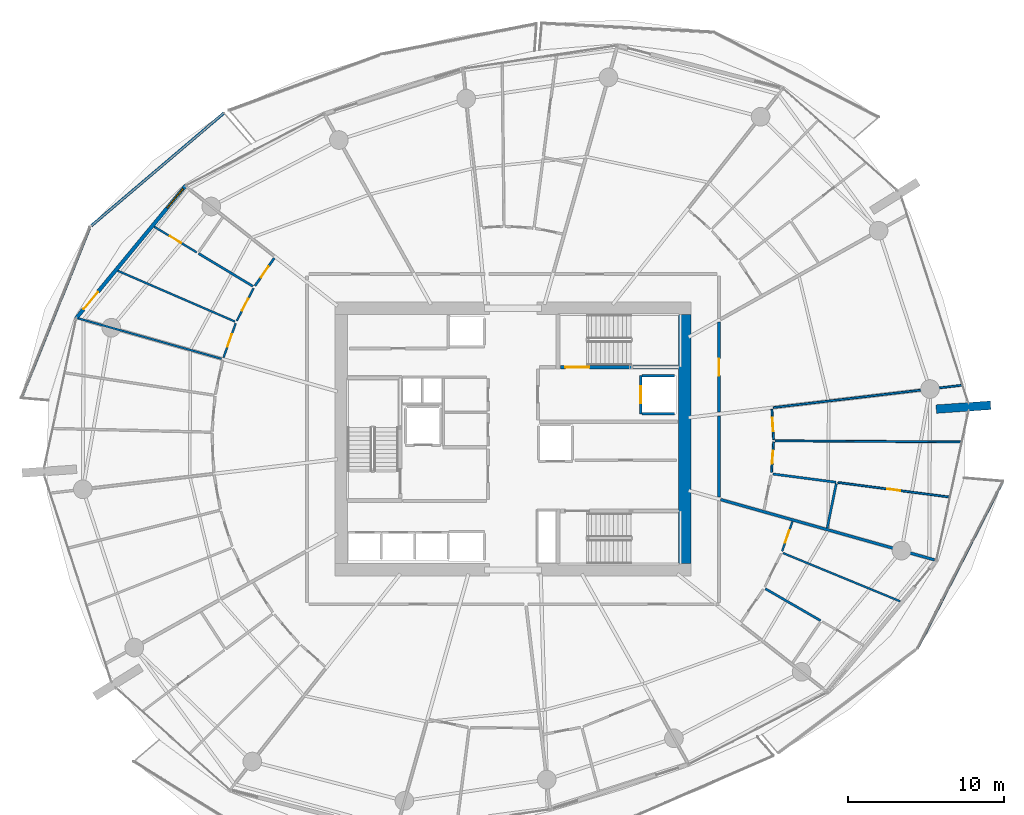
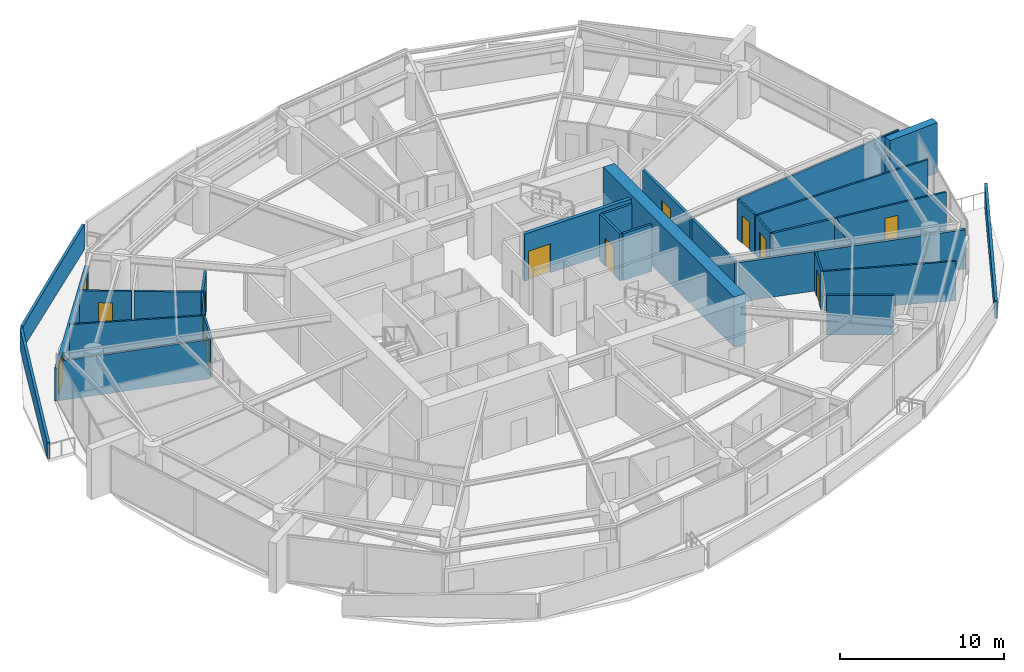
# One storey, part 14 of 23: 30 walls, 12 doors, 1 window, 13 openings.
"""IFC4 building model written with IfcOpenShell, lengths in metres."""

from ifc_helpers import new_model, si_unit, direction, frame, frame_2d, origin, place, context, subcontext, project, spatial, polyline, rectangle, outline, extrude, material, layer, layer_set, type_object, element, fill, save


model = new_model("IFC4")

# Units and contexts
model_context = context("Model", 3, precision=1e-05, world=origin(), true_north=direction((0.0, 1.0)))
body_context = subcontext(model_context, "Body", "Model", "MODEL_VIEW")
ifc_project = project(units=[si_unit("LENGTHUNIT", "METRE"), si_unit("AREAUNIT", "SQUARE_METRE"), si_unit("VOLUMEUNIT", "CUBIC_METRE"), si_unit("PLANEANGLEUNIT", "RADIAN"), si_unit("MASSUNIT", "GRAM", prefix="KILO")], contexts=[model_context])

# Site, building, storey
site_placement = place(None, origin())
site = spatial("IfcSite", under=ifc_project, at=site_placement, CompositionType="ELEMENT")
building_placement = place(site_placement, origin())
building = spatial("IfcBuilding", under=site, at=building_placement, Name="Kazma Halo Residences", CompositionType="ELEMENT")
storey_placement = place(building_placement, frame((0.0, 0.0, 82.64990234375)))
storey = spatial("IfcBuildingStorey", under=building, at=storey_placement, Name="L20", CompositionType="ELEMENT", Elevation=82.64990234375)

# Walls
ifc_material_1 = material(Name="White Concrete C50/60 Balustrade", Category="concrete")
ifc_layer_1 = layer(ifc_material_1, 0.179931640625)
ifc_layer_set_1 = layer_set([ifc_layer_1], Name="White Concrete C50/60 Balustrade")
wall_type_1 = type_object("IfcWallType", Name="WL-BAL-WAVE-180", PredefinedType="PARAPET", material=ifc_layer_set_1)
wall_1_placement = place(storey_placement, frame((29.874267578125, 62.9619140625, 0.0), z_axis=(0.0, 0.0, 1.0), x_axis=(-0.761849488871, -0.647754086291, 0.0)))
element("IfcWall", 1, at=wall_1_placement, inside=storey, type_object=wall_type_1, Name="L20 white wave balustrade wall NW.1", PredefinedType="PARAPET", context=body_context, shape_type="SweptSolid", body=[
    extrude(outline(polyline([(0.0, 0.0), (11.19970703125, 0.0), (11.19970703125, 1.632080078125), (5.599853515625, 1.798095703125), (0.0, 1.860107421875), (0.0, 0.0)])), frame((0.0, 0.08984375, 0.0), z_axis=(0.0, -1.0, 0.0), x_axis=(1.0, 0.0, 0.0)), (0.0, 0.0, 1.0), 0.179931640625),
])
wall_2_placement = place(storey_placement, frame((21.205810546875, 55.518310546875, 0.0), z_axis=(0.0, 0.0, 1.0), x_axis=(-0.372543477275, -0.928014739937, 0.0)))
element("IfcWall", 2, at=wall_2_placement, inside=storey, type_object=wall_type_1, Name="L20 white wave balustrade wall NW.2", PredefinedType="PARAPET", context=body_context, shape_type="SweptSolid", body=[
    extrude(outline(polyline([(0.0, 0.0), (11.718017578125, 0.0), (11.7177734375, 1.233154296875), (5.85888671875, 1.418212890625), (0.0, 1.632080078125), (0.0, 0.0)])), frame((0.0, 0.08984375, 0.0), z_axis=(0.0, -1.0, 0.0), x_axis=(1.0, 0.0, 0.0)), (0.0, 0.0, 1.0), 0.179931640625),
])
wall_3_placement = place(storey_placement, frame((74.44970703125, 28.657958984375, 0.0), z_axis=(0.0, 0.0, 1.0), x_axis=(0.454614998415, 0.890688050451, 0.0)))
element("IfcWall", 3, at=wall_3_placement, inside=storey, type_object=wall_type_1, Name="L20 white wave balustrade wall SE.2", PredefinedType="PARAPET", context=body_context, shape_type="SweptSolid", body=[
    extrude(outline(polyline([(0.0, 0.0), (11.9423828125, 0.0), (11.9423828125, 1.7470703125), (5.97119140625, 1.56201171875), (0.0, 1.34814453125), (0.0, 0.0)])), frame((0.0, 0.08984375, 0.0), z_axis=(0.0, -1.0, 0.0), x_axis=(1.0, 0.0, 0.0)), (0.0, 0.0, 1.0), 0.179931640625),
])
ifc_material_2 = material(Name="Pale Concrete C60/75", Category="concrete")
ifc_layer_2 = layer(ifc_material_2, 0.550048828125)
ifc_layer_set_2 = layer_set([ifc_layer_2], Name="Pale Concrete C60/75")
wall_type_2 = type_object("IfcWallType", Name="WL-BLADE-550", PredefinedType="SOLIDWALL", material=ifc_layer_set_2)
wall_4_placement = place(storey_placement, frame((75.606201171875, 43.930419921875, 0.0), z_axis=(0.0, 0.0, 1.0), x_axis=(0.997564163539, 0.069754853754, 0.0)))
element("IfcWall", 4, at=wall_4_placement, inside=storey, type_object=wall_type_2, Name="L20 pale concrete structural blade fin wall BW-04", PredefinedType="SOLIDWALL", context=body_context, shape_type="SweptSolid", body=[
    extrude(rectangle(XDim=3.5, YDim=0.550048828125, at=frame_2d((1.75, 0.0))), origin(), (0.0, 0.0, 1.0), 3.75),
])
ifc_material_3 = material(Name="Concrete C80/95", Category="concrete")
ifc_layer_3 = layer(ifc_material_3, 0.800048828125)
ifc_layer_set_3 = layer_set([ifc_layer_3], Name="Concrete C80/95")
wall_type_3 = type_object("IfcWallType", Name="WL-CORE-800", PredefinedType="SHEAR", material=ifc_layer_set_3)
wall_5_placement = place(storey_placement, frame((59.449951171875, 34.0, 0.0), z_axis=(0.0, 0.0, 1.0), x_axis=(0.0, 1.0, 0.0)))
element("IfcWall", 5, at=wall_5_placement, inside=storey, type_object=wall_type_3, Name="L20 central core shear wall E", PredefinedType="SHEAR", context=body_context, shape_type="SweptSolid", body=[
    extrude(rectangle(XDim=16.0, YDim=0.800048828125, at=frame_2d((8.0, 0.0))), origin(), (0.0, 0.0, 1.0), 3.75),
])
ifc_material_4 = material(Name="Acoustic Twin-Stud Gypsum")
ifc_layer_4 = layer(ifc_material_4, 0.179931640625)
ifc_layer_set_4 = layer_set([ifc_layer_4], Name="Acoustic Twin-Stud Gypsum")
wall_type_4 = type_object("IfcWallType", Name="WL-DEM-180", PredefinedType="PARTITIONING", material=ifc_layer_set_4)
wall_6_placement = place(storey_placement, frame((61.755859375, 38.120361328125, 0.0), z_axis=(0.0, 0.0, 1.0), x_axis=(0.962455861176, -0.271438234756, 0.0)))
element("IfcWall", 6, at=wall_6_placement, inside=storey, type_object=wall_type_4, Name="L20 apartment demising radial wall 14", PredefinedType="PARTITIONING", context=body_context, shape_type="SweptSolid", body=[
    extrude(rectangle(XDim=14.278564453125, YDim=0.179931640625, at=frame_2d((7.13916015625, 0.0))), origin(), (0.0, 0.0, 1.0), 2.940185546875),
])

# Wall, opening, door
wall_7_placement = place(storey_placement, frame((61.64990234375, 43.735595703125, 0.0), z_axis=(0.0, 0.0, 1.0), x_axis=(0.0, 1.0, 0.0)))
wall_7 = element("IfcWall", 7, at=wall_7_placement, inside=storey, type_object=wall_type_4, Name="L20 Apartment 4 entrance corridor wall", PredefinedType="PARTITIONING", context=body_context, shape_type="SweptSolid", body=[
    extrude(rectangle(XDim=5.788818359375, YDim=0.179931640625, at=frame_2d((2.89453125, 0.0))), origin(), (0.0, 0.0, 1.0), 2.940185546875),
])
opening_1_placement = place(wall_7_placement, frame((2.344482421875, 0.0, 0.0)))
opening_1 = element("IfcOpeningElement", 8, at=opening_1_placement, cuts=wall_7, Name="Opening DA-1100", PredefinedType="OPENING", context=body_context, shape_type="SweptSolid", body=[
    extrude(rectangle(XDim=1.10009765625, YDim=2.10009765625, at=frame_2d((0.550048828125, 1.050048828125))), frame((0.0, 0.099853515625, 0.0), z_axis=(0.0, -1.0, 0.0), x_axis=(1.0, 0.0, 0.0)), (0.0, 0.0, 1.0), 0.199951171875),
])
ifc_material_5 = material(Name="Acoustic Walnut Fire Leaf")
door_type_1 = type_object("IfcDoorType", Name="DR-FD60-1100", OperationType="NOTDEFINED", PredefinedType="DOOR", material=ifc_material_5)
door_1_placement = place(opening_1_placement, origin())
door_1 = element("IfcDoor", 9, at=door_1_placement, inside=storey, type_object=door_type_1, Name="L20 Apartment 4 entrance fire door", OperationType="SINGLE_SWING_LEFT", OverallHeight=2.10009765625, OverallWidth=1.10009765625, PredefinedType="DOOR", context=body_context, shape_type="SweptSolid", body=[
    extrude(rectangle(XDim=1.10009765625, YDim=2.10009765625, at=frame_2d((0.550048828125, 1.050048828125))), frame((0.0, 0.02490234375, 0.0), z_axis=(0.0, -1.0, 0.0), x_axis=(1.0, 0.0, 0.0)), (0.0, 0.0, 1.0), 0.050048828125),
])
fill(opening_1, door_1)

# Wall
wall_8_placement = place(storey_placement, frame((61.64990234375, 38.270263671875, 0.0), z_axis=(0.0, 0.0, 1.0), x_axis=(0.0, 1.0, 0.0)))
element("IfcWall", 10, at=wall_8_placement, inside=storey, type_object=wall_type_4, Name="L20 Apartment 4 inner wall 14", PredefinedType="PARTITIONING", context=body_context, shape_type="SweptSolid", body=[
    extrude(rectangle(XDim=5.225341796875, YDim=0.179931640625, at=frame_2d((2.61279296875, 0.0))), origin(), (0.0, 0.0, 1.0), 2.940185546875),
])

# Wall, openings, door, window
ifc_material_6 = material(Name="Insulated Pale-Metal Composite Wall")
ifc_layer_5 = layer(ifc_material_6, 0.239990234375)
ifc_layer_set_5 = layer_set([ifc_layer_5], Name="Insulated Pale-Metal Composite Wall")
wall_type_5 = type_object("IfcWallType", Name="WL-EXT-HOST-240", PredefinedType="SOLIDWALL", material=ifc_layer_set_5)
wall_9_placement = place(storey_placement, frame((27.406982421875, 58.2978515625, 0.0), z_axis=(0.0, 0.0, 1.0), x_axis=(-0.636704975, -0.771107498868, 0.0)))
wall_9 = element("IfcWall", 11, at=wall_9_placement, inside=storey, type_object=wall_type_5, Name="L20 exterior terrace-access wall B06", PredefinedType="SOLIDWALL", context=body_context, shape_type="SweptSolid", body=[
    extrude(rectangle(XDim=11.084228515625, YDim=0.239990234375, at=frame_2d((5.5419921875, 0.0))), origin(), (0.0, 0.0, 1.0), 2.4501953125),
])
opening_2_placement = place(wall_9_placement, frame((8.8642578125, 0.0, 0.0)))
opening_2 = element("IfcOpeningElement", 12, at=opening_2_placement, cuts=wall_9, Name="Opening DTR-1600", PredefinedType="OPENING", context=body_context, shape_type="SweptSolid", body=[
    extrude(rectangle(XDim=1.449951171875, YDim=2.14990234375, at=frame_2d((0.72509765625, 1.074951171875))), frame((0.0, 0.1298828125, 0.0), z_axis=(0.0, -1.0, 0.0), x_axis=(1.0, 0.0, 0.0)), (0.0, 0.0, 1.0), 0.260009765625),
])
opening_3_placement = place(wall_9_placement, frame((0.280029296875, 0.0, 0.64990234375)))
opening_3 = element("IfcOpeningElement", 13, at=opening_3_placement, cuts=wall_9, Name="Opening W-1800", PredefinedType="OPENING", context=body_context, shape_type="SweptSolid", body=[
    extrude(rectangle(XDim=1.60009765625, YDim=1.5, at=frame_2d((0.800048828125, 0.75))), frame((0.0, 0.1298828125, 0.0), z_axis=(0.0, -1.0, 0.0), x_axis=(1.0, 0.0, 0.0)), (0.0, 0.0, 1.0), 0.260009765625),
])
ifc_material_7 = material(Name="Aluminium AW-6063 T6 Double-Glazed Terrace Door", Category="aluminium")
door_type_2 = type_object("IfcDoorType", Name="DR-EXT-TERR-1600", OperationType="NOTDEFINED", PredefinedType="DOOR", material=ifc_material_7)
door_2_placement = place(opening_2_placement, origin())
door_2 = element("IfcDoor", 14, at=door_2_placement, inside=storey, type_object=door_type_2, Name="L20 B06 balcony terrace door", OperationType="DOUBLE_DOOR_SLIDING", OverallHeight=2.14990234375, OverallWidth=1.449951171875, PredefinedType="DOOR", context=body_context, shape_type="SweptSolid", body=[
    extrude(rectangle(XDim=1.449951171875, YDim=2.14990234375, at=frame_2d((0.72509765625, 1.074951171875))), frame((0.0, 0.02490234375, 0.0), z_axis=(0.0, -1.0, 0.0), x_axis=(1.0, 0.0, 0.0)), (0.0, 0.0, 1.0), 0.050048828125),
])
fill(opening_2, door_2)
ifc_material_8 = material(Name="Clear Triple-Silver Low-E Glass in Aluminium AW-6063 T6 Frame", Category="aluminium")
window_type = type_object("IfcWindowType", Name="WIN-RES-1800", PartitioningType="DOUBLE_PANEL_VERTICAL", PredefinedType="WINDOW", material=ifc_material_8)
window_placement = place(opening_3_placement, origin())
window = element("IfcWindow", 15, at=window_placement, inside=storey, type_object=window_type, Name="L20 B06 apartment window", OverallHeight=1.5, OverallWidth=1.60009765625, PartitioningType="SINGLE_PANEL", PredefinedType="WINDOW", context=body_context, shape_type="SweptSolid", body=[
    extrude(rectangle(XDim=1.60009765625, YDim=1.5, at=frame_2d((0.800048828125, 0.75))), frame((0.0, 0.030029296875, 0.0), z_axis=(0.0, -1.0, 0.0), x_axis=(1.0, 0.0, 0.0)), (0.0, 0.0, 1.0), 0.06005859375),
])
fill(opening_3, window)

# Wall, opening, door
ifc_material_9 = material(Name="Fire-Rated Blockwork Masonry", Category="masonry")
ifc_layer_6 = layer(ifc_material_9, 0.199951171875)
ifc_layer_set_6 = layer_set([ifc_layer_6], Name="Fire-Rated Blockwork Masonry")
wall_type_6 = type_object("IfcWallType", Name="WL-FLB-200", PredefinedType="PARTITIONING", material=ifc_layer_set_6)
wall_10_placement = place(storey_placement, frame((56.6201171875, 46.080078125, 0.0), z_axis=(0.0, 0.0, 1.0), x_axis=(0.0, -1.0, 0.0)))
wall_10 = element("IfcWall", 16, at=wall_10_placement, inside=storey, type_object=wall_type_6, Name="L20 lift shaft FL-02 front wall", PredefinedType="PARTITIONING", context=body_context, shape_type="SweptSolid", body=[
    extrude(rectangle(XDim=2.4599609375, YDim=0.159912109375, at=frame_2d((1.22998046875, 0.0))), origin(), (0.0, 0.0, 1.0), 3.5),
])
opening_4_placement = place(wall_10_placement, frame((0.679931640625, 0.0, 0.0)))
opening_4 = element("IfcOpeningElement", 17, at=opening_4_placement, cuts=wall_10, Name="Opening LD-FL-02", PredefinedType="OPENING", context=body_context, shape_type="SweptSolid", body=[
    extrude(rectangle(XDim=1.10009765625, YDim=2.10009765625, at=frame_2d((0.550048828125, 1.050048828125))), frame((0.0, 0.08984375, 0.0), z_axis=(0.0, -1.0, 0.0), x_axis=(1.0, 0.0, 0.0)), (0.0, 0.0, 1.0), 0.179931640625),
])
ifc_material_10 = material(Name="Stainless Steel Fire-Rated", Category="steel")
door_type_3 = type_object("IfcDoorType", Name="DR-LIFT-SLD-1100", OperationType="DOUBLE_DOOR_SLIDING", PredefinedType="DOOR", material=ifc_material_10)
door_3_placement = place(opening_4_placement, origin())
door_3 = element("IfcDoor", 18, at=door_3_placement, inside=storey, type_object=door_type_3, Name="L20 lift FL-02 sliding landing door", OperationType="DOUBLE_DOOR_SLIDING", OverallHeight=2.10009765625, OverallWidth=1.10009765625, PredefinedType="DOOR", context=body_context, shape_type="SweptSolid", body=[
    extrude(rectangle(XDim=1.10009765625, YDim=2.10009765625, at=frame_2d((0.550048828125, 1.050048828125))), frame((0.0, 0.02490234375, 0.0), z_axis=(0.0, -1.0, 0.0), x_axis=(1.0, 0.0, 0.0)), (0.0, 0.0, 1.0), 0.050048828125),
])
fill(opening_4, door_3)

# Walls
for number, where, z_axis, x_axis, name in (
    (19, (56.719970703125, 46.080078125, 0.0), (0.0, 0.0, 1.0), (1.0, 0.0, 0.0), "L20 lift shaft FL-02 side wall N"),
    (20, (56.719970703125, 43.6201171875, 0.0), (0.0, 0.0, 1.0), (1.0, 0.0, 0.0), "L20 lift shaft FL-02 side wall S"),
):
    element("IfcWall", number, at=place(storey_placement, frame(where, z_axis=z_axis, x_axis=x_axis)), inside=storey, type_object=wall_type_6, Name=name, PredefinedType="PARTITIONING", context=body_context, shape_type="SweptSolid", body=[
        extrude(rectangle(XDim=2.06005859375, YDim=0.159912109375, at=frame_2d((1.030029296875, 0.0))), origin(), (0.0, 0.0, 1.0), 3.5),
    ])

# Wall, opening, door
ifc_material_11 = material(Name="Gypsum Plasterboard Partition")
ifc_layer_7 = layer(ifc_material_11, 0.125)
ifc_layer_set_7 = layer_set([ifc_layer_7], Name="Gypsum Plasterboard Partition")
wall_type_7 = type_object("IfcWallType", Name="WL-PART-125", PredefinedType="PARTITIONING", material=ifc_layer_set_7)
wall_11_placement = place(storey_placement, frame((28.108642578125, 53.996826171875, 0.0), z_axis=(0.0, 0.0, 1.0), x_axis=(-0.856309036054, 0.516463778761, 0.0)))
wall_11 = element("IfcWall", 21, at=wall_11_placement, inside=storey, type_object=wall_type_7, Name="L20 Apartment 1 Household Store Room partition wall", PredefinedType="PARTITIONING", context=body_context, shape_type="SweptSolid", body=[
    extrude(rectangle(XDim=3.1904296875, YDim=0.125, at=frame_2d((1.59521484375, 0.0))), origin(), (0.0, 0.0, 1.0), 2.940185546875),
])
opening_5_placement = place(wall_11_placement, frame((1.17041015625, 0.0, 0.0)))
opening_5 = element("IfcOpeningElement", 22, at=opening_5_placement, cuts=wall_11, Name="Opening DB-900", PredefinedType="OPENING", context=body_context, shape_type="SweptSolid", body=[
    extrude(rectangle(XDim=0.85009765625, YDim=2.06005859375, at=frame_2d((0.425048828125, 1.030029296875))), frame((0.0, 0.072509765625, 0.0), z_axis=(0.0, -1.0, 0.0), x_axis=(1.0, 0.0, 0.0)), (0.0, 0.0, 1.0), 0.14501953125),
])
ifc_material_12 = material(Name="Moisture-Sealed Timber Leaf", Category="wood")
door_type_4 = type_object("IfcDoorType", Name="DR-BTH-900", OperationType="NOTDEFINED", PredefinedType="DOOR", material=ifc_material_12)
door_4_placement = place(opening_5_placement, origin())
door_4 = element("IfcDoor", 23, at=door_4_placement, inside=storey, type_object=door_type_4, Name="L20 Apartment 1 Household Store Room door", OperationType="SINGLE_SWING_LEFT", OverallHeight=2.06005859375, OverallWidth=0.85009765625, PredefinedType="DOOR", context=body_context, shape_type="SweptSolid", body=[
    extrude(rectangle(XDim=0.85009765625, YDim=2.06005859375, at=frame_2d((0.425048828125, 1.030029296875))), frame((0.0, 0.02490234375, 0.0), z_axis=(0.0, -1.0, 0.0), x_axis=(1.0, 0.0, 0.0)), (0.0, 0.0, 1.0), 0.050048828125),
])
fill(opening_5, door_4)

# Wall
wall_12_placement = place(storey_placement, frame((30.557373046875, 49.556396484375, 0.0), z_axis=(0.0, 0.0, 1.0), x_axis=(-0.917609944695, 0.39748206173, 0.0)))
element("IfcWall", 24, at=wall_12_placement, inside=storey, type_object=wall_type_7, Name="L20 Apartment 1 suite divider 5", PredefinedType="PARTITIONING", context=body_context, shape_type="SweptSolid", body=[
    extrude(rectangle(XDim=8.197265625, YDim=0.125, at=frame_2d((4.0986328125, 0.0))), origin(), (0.0, 0.0, 1.0), 2.940185546875),
])

# Wall, opening, door
wall_13_placement = place(storey_placement, frame((31.75830078125, 51.69091796875, 0.0), z_axis=(0.0, 0.0, 1.0), x_axis=(-0.458055610994, -0.888923538465, 0.0)))
wall_13 = element("IfcWall", 25, at=wall_13_placement, inside=storey, type_object=wall_type_7, Name="L20 Apartment 1 Gourmet Kitchen hall wall", PredefinedType="PARTITIONING", context=body_context, shape_type="SweptSolid", body=[
    extrude(rectangle(XDim=2.361572265625, YDim=0.125, at=frame_2d((1.1806640625, 0.0))), origin(), (0.0, 0.0, 1.0), 2.940185546875),
])
opening_6_placement = place(wall_13_placement, frame((0.755859375, 0.0, 0.0)))
opening_6 = element("IfcOpeningElement", 26, at=opening_6_placement, cuts=wall_13, Name="Opening DB-900", PredefinedType="OPENING", context=body_context, shape_type="SweptSolid", body=[
    extrude(rectangle(XDim=0.85009765625, YDim=2.06005859375, at=frame_2d((0.425048828125, 1.030029296875))), frame((0.0, 0.072509765625, 0.0), z_axis=(0.0, -1.0, 0.0), x_axis=(1.0, 0.0, 0.0)), (0.0, 0.0, 1.0), 0.14501953125),
])
door_5_placement = place(opening_6_placement, origin())
door_5 = element("IfcDoor", 27, at=door_5_placement, inside=storey, type_object=door_type_4, Name="L20 Apartment 1 Gourmet Kitchen door", OperationType="SINGLE_SWING_RIGHT", OverallHeight=2.06005859375, OverallWidth=0.85009765625, PredefinedType="DOOR", context=body_context, shape_type="SweptSolid", body=[
    extrude(rectangle(XDim=0.85009765625, YDim=2.06005859375, at=frame_2d((0.425048828125, 1.030029296875))), frame((0.0, 0.02490234375, 0.0), z_axis=(0.0, -1.0, 0.0), x_axis=(1.0, 0.0, 0.0)), (0.0, 0.0, 1.0), 0.050048828125),
])
fill(opening_6, door_5)

wall_14_placement = place(storey_placement, frame((30.61328125, 49.445068359375, 0.0), z_axis=(0.0, 0.0, 1.0), x_axis=(-0.335316857021, -0.94210541098, 0.0)))
wall_14 = element("IfcWall", 28, at=wall_14_placement, inside=storey, type_object=wall_type_7, Name="L20 Apartment 1 Primary Bedroom hall wall", PredefinedType="PARTITIONING", context=body_context, shape_type="SweptSolid", body=[
    extrude(rectangle(XDim=2.351806640625, YDim=0.125, at=frame_2d((1.17578125, 0.0))), origin(), (0.0, 0.0, 1.0), 2.940185546875),
])
opening_7_placement = place(wall_14_placement, frame((0.750732421875, 0.0, 0.0)))
opening_7 = element("IfcOpeningElement", 29, at=opening_7_placement, cuts=wall_14, Name="Opening DB-900", PredefinedType="OPENING", context=body_context, shape_type="SweptSolid", body=[
    extrude(rectangle(XDim=0.85009765625, YDim=2.06005859375, at=frame_2d((0.425048828125, 1.030029296875))), frame((0.0, 0.072509765625, 0.0), z_axis=(0.0, -1.0, 0.0), x_axis=(1.0, 0.0, 0.0)), (0.0, 0.0, 1.0), 0.14501953125),
])
door_6_placement = place(opening_7_placement, origin())
door_6 = element("IfcDoor", 30, at=door_6_placement, inside=storey, type_object=door_type_4, Name="L20 Apartment 1 Primary Bedroom door", OperationType="SINGLE_SWING_LEFT", OverallHeight=2.06005859375, OverallWidth=0.85009765625, PredefinedType="DOOR", context=body_context, shape_type="SweptSolid", body=[
    extrude(rectangle(XDim=0.85009765625, YDim=2.06005859375, at=frame_2d((0.425048828125, 1.030029296875))), frame((0.0, 0.02490234375, 0.0), z_axis=(0.0, -1.0, 0.0), x_axis=(1.0, 0.0, 0.0)), (0.0, 0.0, 1.0), 0.050048828125),
])
fill(opening_7, door_6)

# Walls
wall_15_placement = place(storey_placement, frame((29.695068359375, 47.16259765625, 0.0), z_axis=(0.0, 0.0, 1.0), x_axis=(-0.962455839824, 0.271438310467, 0.0)))
element("IfcWall", 31, at=wall_15_placement, inside=storey, type_object=wall_type_7, Name="L20 Apartment 1 radial partition 6", PredefinedType="PARTITIONING", context=body_context, shape_type="SweptSolid", body=[
    extrude(rectangle(XDim=9.552001953125, YDim=0.125, at=frame_2d((4.77587890625, 0.0))), origin(), (0.0, 0.0, 1.0), 2.940185546875),
])
wall_16_placement = place(storey_placement, frame((65.764404296875, 34.68408203125, 0.0), z_axis=(0.0, 0.0, 1.0), x_axis=(0.924663817091, -0.380784486767, 0.0)))
element("IfcWall", 32, at=wall_16_placement, inside=storey, type_object=wall_type_7, Name="L20 Apartment 3 suite divider 13", PredefinedType="PARTITIONING", context=body_context, shape_type="SweptSolid", body=[
    extrude(rectangle(XDim=8.143310546875, YDim=0.125, at=frame_2d((4.07177734375, 0.0))), origin(), (0.0, 0.0, 1.0), 2.940185546875),
])

# Wall, opening, door
wall_17_placement = place(storey_placement, frame((65.70751953125, 34.7939453125, 0.0), z_axis=(0.0, 0.0, 1.0), x_axis=(0.326586587155, 0.945167287357, 0.0)))
wall_17 = element("IfcWall", 33, at=wall_17_placement, inside=storey, type_object=wall_type_7, Name="L20 Apartment 3 South Master Bedroom hall wall", PredefinedType="PARTITIONING", context=body_context, shape_type="SweptSolid", body=[
    extrude(rectangle(XDim=2.03271484375, YDim=0.125, at=frame_2d((1.016357421875, 0.0))), origin(), (0.0, 0.0, 1.0), 2.940185546875),
])
opening_8_placement = place(wall_17_placement, frame((0.59130859375, 0.0, 0.0)))
opening_8 = element("IfcOpeningElement", 34, at=opening_8_placement, cuts=wall_17, Name="Opening DB-900", PredefinedType="OPENING", context=body_context, shape_type="SweptSolid", body=[
    extrude(rectangle(XDim=0.85009765625, YDim=2.06005859375, at=frame_2d((0.425048828125, 1.030029296875))), frame((0.0, 0.072509765625, 0.0), z_axis=(0.0, -1.0, 0.0), x_axis=(1.0, 0.0, 0.0)), (0.0, 0.0, 1.0), 0.14501953125),
])
door_7_placement = place(opening_8_placement, origin())
door_7 = element("IfcDoor", 35, at=door_7_placement, inside=storey, type_object=door_type_4, Name="L20 Apartment 3 South Master Bedroom door", OperationType="SINGLE_SWING_LEFT", OverallHeight=2.06005859375, OverallWidth=0.85009765625, PredefinedType="DOOR", context=body_context, shape_type="SweptSolid", body=[
    extrude(rectangle(XDim=0.85009765625, YDim=2.06005859375, at=frame_2d((0.425048828125, 1.030029296875))), frame((0.0, 0.02490234375, 0.0), z_axis=(0.0, -1.0, 0.0), x_axis=(1.0, 0.0, 0.0)), (0.0, 0.0, 1.0), 0.050048828125),
])
fill(opening_8, door_7)

# Wall
wall_18_placement = place(storey_placement, frame((65.145263671875, 44.029296875, 0.0), z_axis=(0.0, 0.0, 1.0), x_axis=(0.993069321468, 0.117530092994, 0.0)))
element("IfcWall", 36, at=wall_18_placement, inside=storey, type_object=wall_type_7, Name="L20 Apartment 4 living radial partition 14", PredefinedType="PARTITIONING", context=body_context, shape_type="SweptSolid", body=[
    extrude(rectangle(XDim=12.21435546875, YDim=0.125, at=frame_2d((6.107177734375, 0.0))), origin(), (0.0, 0.0, 1.0), 2.940185546875),
])

# Wall, opening, door
wall_19_placement = place(storey_placement, frame((69.293701171875, 39.21630859375, 0.0), z_axis=(0.0, 0.0, 1.0), x_axis=(0.991568571776, -0.129583052391, 0.0)))
wall_19 = element("IfcWall", 37, at=wall_19_placement, inside=storey, type_object=wall_type_7, Name="L20 Apartment 4 Utility Laundry Room partition wall", PredefinedType="PARTITIONING", context=body_context, shape_type="SweptSolid", body=[
    extrude(rectangle(XDim=7.23291015625, YDim=0.125, at=frame_2d((3.616455078125, 0.0))), origin(), (0.0, 0.0, 1.0), 2.940185546875),
])
opening_9_placement = place(wall_19_placement, frame((3.19140625, 0.0, 0.0)))
opening_9 = element("IfcOpeningElement", 38, at=opening_9_placement, cuts=wall_19, Name="Opening DB-900", PredefinedType="OPENING", context=body_context, shape_type="SweptSolid", body=[
    extrude(rectangle(XDim=0.85009765625, YDim=2.06005859375, at=frame_2d((0.425048828125, 1.030029296875))), frame((0.0, 0.072509765625, 0.0), z_axis=(0.0, -1.0, 0.0), x_axis=(1.0, 0.0, 0.0)), (0.0, 0.0, 1.0), 0.14501953125),
])
door_8_placement = place(opening_9_placement, origin())
door_8 = element("IfcDoor", 39, at=door_8_placement, inside=storey, type_object=door_type_4, Name="L20 Apartment 4 Utility Laundry Room door", OperationType="SINGLE_SWING_RIGHT", OverallHeight=2.06005859375, OverallWidth=0.85009765625, PredefinedType="DOOR", context=body_context, shape_type="SweptSolid", body=[
    extrude(rectangle(XDim=0.85009765625, YDim=2.06005859375, at=frame_2d((0.425048828125, 1.030029296875))), frame((0.0, 0.02490234375, 0.0), z_axis=(0.0, -1.0, 0.0), x_axis=(1.0, 0.0, 0.0)), (0.0, 0.0, 1.0), 0.050048828125),
])
fill(opening_9, door_8)

# Wall
wall_20_placement = place(storey_placement, frame((65.254638671875, 41.89501953125, 0.0), z_axis=(0.0, 0.0, 1.0), x_axis=(0.999981408877, -0.006097696318, 0.0)))
element("IfcWall", 40, at=wall_20_placement, inside=storey, type_object=wall_type_7, Name="L20 Apartment 4 suite divider 14", PredefinedType="PARTITIONING", context=body_context, shape_type="SweptSolid", body=[
    extrude(rectangle(XDim=11.971435546875, YDim=0.125, at=frame_2d((5.98583984375, 0.0))), origin(), (0.0, 0.0, 1.0), 2.940185546875),
])

# Wall, opening, door
wall_21_placement = place(storey_placement, frame((65.0263671875, 39.864990234375, 0.0), z_axis=(0.0, 0.0, 1.0), x_axis=(0.067927845881, 0.997690236373, 0.0)))
wall_21 = element("IfcWall", 41, at=wall_21_placement, inside=storey, type_object=wall_type_7, Name="L20 Apartment 4 Gourmet Kitchen hall wall", PredefinedType="PARTITIONING", context=body_context, shape_type="SweptSolid", body=[
    extrude(rectangle(XDim=1.955078125, YDim=0.125, at=frame_2d((0.9775390625, 0.0))), origin(), (0.0, 0.0, 1.0), 2.940185546875),
])
opening_10_placement = place(wall_21_placement, frame((0.552734375, 0.0, 0.0)))
opening_10 = element("IfcOpeningElement", 42, at=opening_10_placement, cuts=wall_21, Name="Opening DB-900", PredefinedType="OPENING", context=body_context, shape_type="SweptSolid", body=[
    extrude(rectangle(XDim=0.85009765625, YDim=2.06005859375, at=frame_2d((0.425048828125, 1.030029296875))), frame((0.0, 0.072509765625, 0.0), z_axis=(0.0, -1.0, 0.0), x_axis=(1.0, 0.0, 0.0)), (0.0, 0.0, 1.0), 0.14501953125),
])
door_9_placement = place(opening_10_placement, origin())
door_9 = element("IfcDoor", 43, at=door_9_placement, inside=storey, type_object=door_type_4, Name="L20 Apartment 4 Gourmet Kitchen door", OperationType="SINGLE_SWING_LEFT", OverallHeight=2.06005859375, OverallWidth=0.85009765625, PredefinedType="DOOR", context=body_context, shape_type="SweptSolid", body=[
    extrude(rectangle(XDim=0.85009765625, YDim=2.06005859375, at=frame_2d((0.425048828125, 1.030029296875))), frame((0.0, 0.02490234375, 0.0), z_axis=(0.0, -1.0, 0.0), x_axis=(1.0, 0.0, 0.0)), (0.0, 0.0, 1.0), 0.050048828125),
])
fill(opening_10, door_9)

wall_22_placement = place(storey_placement, frame((65.16015625, 41.975341796875, 0.0), z_axis=(0.0, 0.0, 1.0), x_axis=(-0.055845342743, 0.998439431159, 0.0)))
wall_22 = element("IfcWall", 44, at=wall_22_placement, inside=storey, type_object=wall_type_7, Name="L20 Apartment 4 Primary Bedroom hall wall", PredefinedType="PARTITIONING", context=body_context, shape_type="SweptSolid", body=[
    extrude(rectangle(XDim=1.9453125, YDim=0.125, at=frame_2d((0.97265625, 0.0))), origin(), (0.0, 0.0, 1.0), 2.940185546875),
])
opening_11_placement = place(wall_22_placement, frame((0.547607421875, 0.0, 0.0)))
opening_11 = element("IfcOpeningElement", 45, at=opening_11_placement, cuts=wall_22, Name="Opening DB-900", PredefinedType="OPENING", context=body_context, shape_type="SweptSolid", body=[
    extrude(rectangle(XDim=0.85009765625, YDim=2.06005859375, at=frame_2d((0.425048828125, 1.030029296875))), frame((0.0, 0.072509765625, 0.0), z_axis=(0.0, -1.0, 0.0), x_axis=(1.0, 0.0, 0.0)), (0.0, 0.0, 1.0), 0.14501953125),
])
door_10_placement = place(opening_11_placement, origin())
door_10 = element("IfcDoor", 46, at=door_10_placement, inside=storey, type_object=door_type_4, Name="L20 Apartment 4 Primary Bedroom door", OperationType="SINGLE_SWING_RIGHT", OverallHeight=2.06005859375, OverallWidth=0.85009765625, PredefinedType="DOOR", context=body_context, shape_type="SweptSolid", body=[
    extrude(rectangle(XDim=0.85009765625, YDim=2.06005859375, at=frame_2d((0.425048828125, 1.030029296875))), frame((0.0, 0.02490234375, 0.0), z_axis=(0.0, -1.0, 0.0), x_axis=(1.0, 0.0, 0.0)), (0.0, 0.0, 1.0), 0.050048828125),
])
fill(opening_11, door_10)

ifc_material_13 = material(Name="Concrete C50/60", Category="concrete")
ifc_layer_8 = layer(ifc_material_13, 0.25)
ifc_layer_set_8 = layer_set([ifc_layer_8], Name="Concrete C50/60")
wall_type_8 = type_object("IfcWallType", Name="WL-SHF-250", PredefinedType="SOLIDWALL", material=ifc_layer_set_8)
wall_23_placement = place(storey_placement, frame((51.47998046875, 46.6201171875, 0.0), z_axis=(0.0, 0.0, 1.0), x_axis=(1.0, 0.0, 0.0)))
wall_23 = element("IfcWall", 47, at=wall_23_placement, inside=storey, type_object=wall_type_8, Name="L20 exit stair ST-02 enclosure wall", PredefinedType="SOLIDWALL", context=body_context, shape_type="SweptSolid", body=[
    extrude(rectangle(XDim=7.5400390625, YDim=0.25, at=frame_2d((3.77001953125, 0.0))), origin(), (0.0, 0.0, 1.0), 3.5),
])
opening_12_placement = place(wall_23_placement, frame((0.300048828125, 0.0, 0.0)))
opening_12 = element("IfcOpeningElement", 48, at=opening_12_placement, cuts=wall_23, Name="Opening D-ST2", PredefinedType="OPENING", context=body_context, shape_type="SweptSolid", body=[
    extrude(rectangle(XDim=1.550048828125, YDim=2.14990234375, at=frame_2d((0.77490234375, 1.074951171875))), frame((0.0, 0.135009765625, 0.0), z_axis=(0.0, -1.0, 0.0), x_axis=(1.0, 0.0, 0.0)), (0.0, 0.0, 1.0), 0.27001953125),
])
ifc_material_14 = material(Name="Fire-Rated Double Steel Leaf", Category="steel")
door_type_5 = type_object("IfcDoorType", Name="DR-FD90-1550", OperationType="NOTDEFINED", PredefinedType="DOOR", material=ifc_material_14)
door_11_placement = place(opening_12_placement, origin())
door_11 = element("IfcDoor", 49, at=door_11_placement, inside=storey, type_object=door_type_5, Name="L20 exit stair ST-02 fire door", OperationType="DOUBLE_DOOR_SINGLE_SWING", OverallHeight=2.14990234375, OverallWidth=1.550048828125, PredefinedType="DOOR", context=body_context, shape_type="SweptSolid", body=[
    extrude(rectangle(XDim=1.550048828125, YDim=2.14990234375, at=frame_2d((0.77490234375, 1.074951171875))), frame((0.0, 0.02490234375, 0.0), z_axis=(0.0, -1.0, 0.0), x_axis=(1.0, 0.0, 0.0)), (0.0, 0.0, 1.0), 0.050048828125),
])
fill(opening_12, door_11)

ifc_material_15 = material(Name="Moisture-Resistant Gypsum")
ifc_layer_9 = layer(ifc_material_15, 0.14990234375)
ifc_layer_set_9 = layer_set([ifc_layer_9], Name="Moisture-Resistant Gypsum")
wall_type_9 = type_object("IfcWallType", Name="WL-WET-150", PredefinedType="PARTITIONING", material=ifc_layer_set_9)
wall_24_placement = place(storey_placement, frame((33.085693359375, 53.63037109375, 0.0), z_axis=(0.0, 0.0, 1.0), x_axis=(-0.568917555875, -0.822394561398, 0.0)))
wall_24 = element("IfcWall", 50, at=wall_24_placement, inside=storey, type_object=wall_type_9, Name="L20 Apartment 1 Guest Bathroom hall wall", PredefinedType="PARTITIONING", context=body_context, shape_type="SweptSolid", body=[
    extrude(rectangle(XDim=2.1708984375, YDim=0.14990234375, at=frame_2d((1.08544921875, 0.0))), origin(), (0.0, 0.0, 1.0), 2.940185546875),
])
opening_13_placement = place(wall_24_placement, frame((0.660400390625, 0.0, 0.0)))
opening_13 = element("IfcOpeningElement", 51, at=opening_13_placement, cuts=wall_24, Name="Opening DB-900", PredefinedType="OPENING", context=body_context, shape_type="SweptSolid", body=[
    extrude(rectangle(XDim=0.85009765625, YDim=2.06005859375, at=frame_2d((0.425048828125, 1.030029296875))), frame((0.0, 0.0849609375, 0.0), z_axis=(0.0, -1.0, 0.0), x_axis=(1.0, 0.0, 0.0)), (0.0, 0.0, 1.0), 0.169921875),
])
door_12_placement = place(opening_13_placement, origin())
door_12 = element("IfcDoor", 52, at=door_12_placement, inside=storey, type_object=door_type_4, Name="L20 Apartment 1 Guest Bathroom door", OperationType="SINGLE_SWING_RIGHT", OverallHeight=2.06005859375, OverallWidth=0.85009765625, PredefinedType="DOOR", context=body_context, shape_type="SweptSolid", body=[
    extrude(rectangle(XDim=0.85009765625, YDim=2.06005859375, at=frame_2d((0.425048828125, 1.030029296875))), frame((0.0, 0.02490234375, 0.0), z_axis=(0.0, -1.0, 0.0), x_axis=(1.0, 0.0, 0.0)), (0.0, 0.0, 1.0), 0.050048828125),
])
fill(opening_13, door_12)

# Walls
wall_25_placement = place(storey_placement, frame((31.722412109375, 51.8173828125, 0.0), z_axis=(0.0, 0.0, 1.0), x_axis=(-0.856305556185, 0.516469548422, 0.0)))
element("IfcWall", 53, at=wall_25_placement, inside=storey, type_object=wall_type_9, Name="L20 Apartment 1 Guest Bathroom side wall", PredefinedType="PARTITIONING", context=body_context, shape_type="SweptSolid", body=[
    extrude(rectangle(XDim=4.08984375, YDim=0.14990234375, at=frame_2d((2.044921875, 0.0))), origin(), (0.0, 0.0, 1.0), 2.940185546875),
])
wall_26_placement = place(storey_placement, frame((64.635498046875, 32.3896484375, 0.0), z_axis=(0.0, 0.0, 1.0), x_axis=(0.865897249189, -0.500221904605, 0.0)))
element("IfcWall", 54, at=wall_26_placement, inside=storey, type_object=wall_type_9, Name="L20 Apartment 3 East En-Suite Bathroom side wall", PredefinedType="PARTITIONING", context=body_context, shape_type="SweptSolid", body=[
    extrude(rectangle(XDim=4.090087890625, YDim=0.14990234375, at=frame_2d((2.044921875, 0.0))), origin(), (0.0, 0.0, 1.0), 2.940185546875),
])
wall_27_placement = place(storey_placement, frame((68.602294921875, 36.293212890625, 0.0), z_axis=(0.0, 0.0, 1.0), x_axis=(0.201041300111, 0.979582766105, 0.0)))
element("IfcWall", 55, at=wall_27_placement, inside=storey, type_object=wall_type_9, Name="L20 Apartment 4 Guest Bathroom back wall", PredefinedType="PARTITIONING", context=body_context, shape_type="SweptSolid", body=[
    extrude(rectangle(XDim=2.906005859375, YDim=0.14990234375, at=frame_2d((1.453125, 0.0))), origin(), (0.0, 0.0, 1.0), 2.940185546875),
])
wall_28_placement = place(storey_placement, frame((65.109375, 39.763427734375, 0.0), z_axis=(0.0, 0.0, 1.0), x_axis=(0.991567092065, -0.129594374624, 0.0)))
element("IfcWall", 56, at=wall_28_placement, inside=storey, type_object=wall_type_9, Name="L20 Apartment 4 Guest Bathroom side wall", PredefinedType="PARTITIONING", context=body_context, shape_type="SweptSolid", body=[
    extrude(rectangle(XDim=4.08984375, YDim=0.14990234375, at=frame_2d((2.044921875, 0.0))), origin(), (0.0, 0.0, 1.0), 2.940185546875),
])

save(model, "model.ifc")
